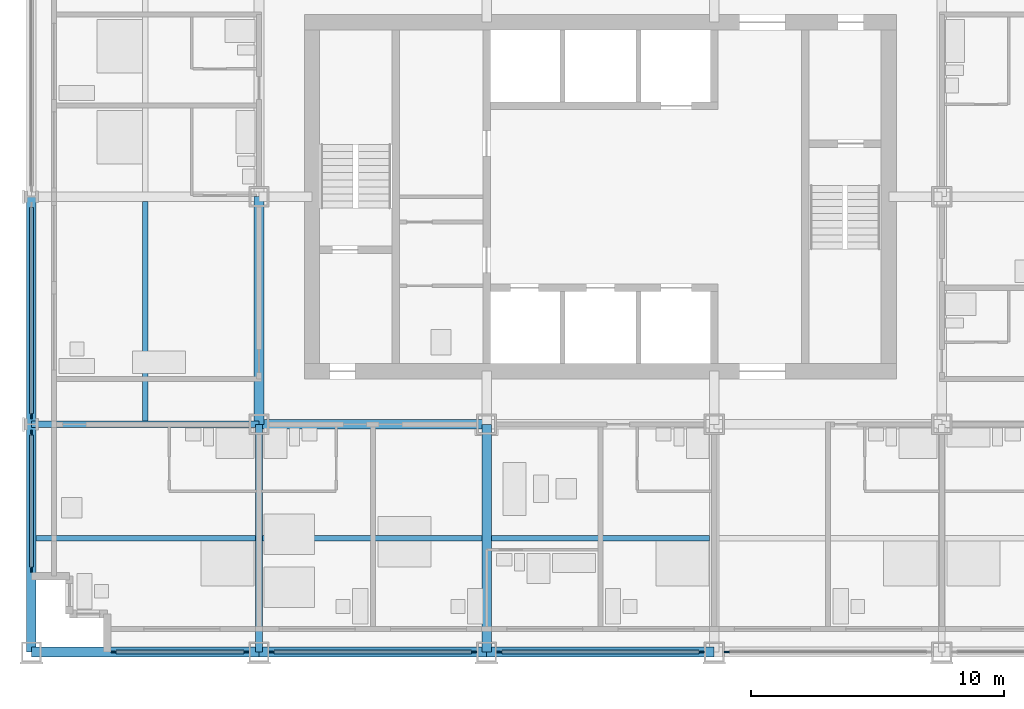
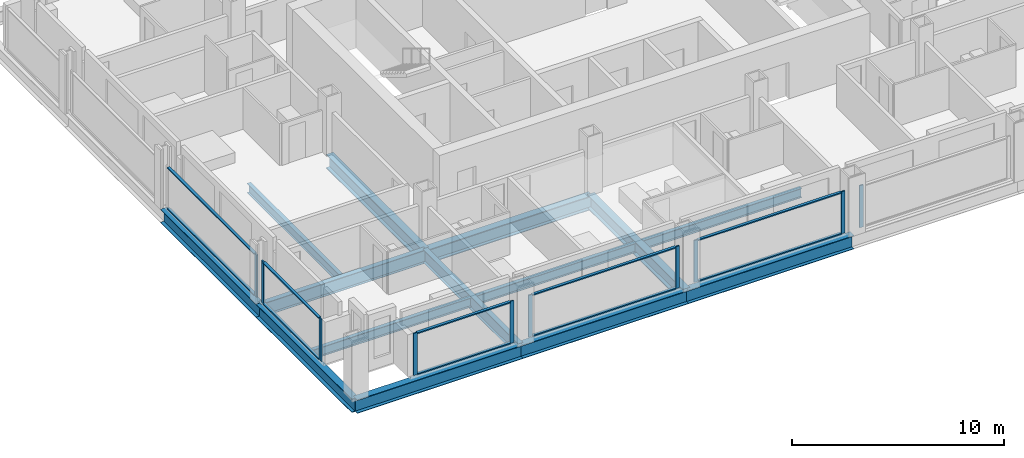
# One storey, part 2 of 16: 20 members, 14 beams, 6 elements without a shape of their own.
"""IFC4 building model written with IfcOpenShell, lengths in metres."""

from ifc_helpers import new_model, si_unit, direction, frame, origin, origin_2d, place, context, subcontext, project, spatial, rectangle, i_section, extrude, material, material_profile, profile_set, type_object, element, aggregate, save


model = new_model("IFC4")

# Units and contexts
model_context = context("Model", 3, precision=1e-05, world=origin(), true_north=direction((0.0, 1.0)))
body_context = subcontext(model_context, "Body", "Model", "MODEL_VIEW")
ifc_project = project(units=[si_unit("LENGTHUNIT", "METRE"), si_unit("AREAUNIT", "SQUARE_METRE"), si_unit("VOLUMEUNIT", "CUBIC_METRE"), si_unit("PLANEANGLEUNIT", "RADIAN"), si_unit("MASSUNIT", "GRAM", prefix="KILO")], contexts=[model_context])

# Site, building, storey
site_placement = place(None, origin())
site = spatial("IfcSite", under=ifc_project, at=site_placement, CompositionType="ELEMENT")
building_placement = place(site_placement, origin())
building = spatial("IfcBuilding", under=site, at=building_placement, Name="Loomwork Tower", CompositionType="ELEMENT")
storey_placement = place(building_placement, frame((0.0, 0.0, 121.39990234375)))
storey = spatial("IfcBuildingStorey", under=building, at=storey_placement, Name="L32", CompositionType="ELEMENT", Elevation=121.39990234375)

# Beams
ifc_material_1 = material(Name="Steel ASTM A992", Category="steel")
ifc_material_profile_1 = material_profile(ifc_material_1, i_section(OverallWidth=0.383544921875, OverallDepth=0.794921875, WebThickness=0.02099609375, FlangeThickness=0.0380859375, at=origin_2d()), Name="W30x235")
ifc_profile_set_1 = profile_set([ifc_material_profile_1], Name="Steel ASTM A992")
beam_type_1 = type_object("IfcBeamType", Name="CORE FLANK GIRDER W30x235", PredefinedType="BEAM", material=ifc_profile_set_1)
for number, where, z_axis, x_axis, name in (
    (1, (9.0, 9.0, -0.597412109375), (1.0, 0.0, 0.0), (0.0, 1.0, 0.0), "Core Flank Girder E/3-E/4 L32"),
    (2, (9.0, 9.0, -0.597412109375), (0.0, 1.0, 0.0), (-1.0, 0.0, 0.0), "Core Flank Girder E/3-F/3 L32"),
    (3, (18.0, 0.0, -0.597412109375), (0.0, 1.0, 0.0), (-1.0, 0.0, 0.0), "Core Flank Girder D/4-E/4 L32"),
):
    element("IfcBeam", number, at=place(storey_placement, frame(where, z_axis=z_axis, x_axis=x_axis)), inside=storey, type_object=beam_type_1, Name=name, PredefinedType="BEAM", context=body_context, shape_type="SweptSolid", body=[
        extrude(i_section(OverallWidth=0.383544921875, OverallDepth=0.794921875, WebThickness=0.02099609375, FlangeThickness=0.0380859375, at=origin_2d()), origin(), (0.0, 0.0, 1.0), 9.0),
    ])
ifc_material_2 = material(Name="Steel ASTM A992", Category="steel")
ifc_material_profile_2 = material_profile(ifc_material_2, i_section(OverallWidth=0.2666015625, OverallDepth=0.761962890625, WebThickness=0.014404296875, FlangeThickness=0.021484375, at=origin_2d()), Name="W30x116")
ifc_profile_set_2 = profile_set([ifc_material_profile_2], Name="Steel ASTM A992")
beam_type_2 = type_object("IfcBeamType", Name="FLOOR GIRDER W30x116", PredefinedType="BEAM", material=ifc_profile_set_2)
for number, where, z_axis, x_axis, name in (
    (4, (0.0, 9.0, -0.580810546875), (1.0, 0.0, 0.0), (0.0, 1.0, 0.0), "Floor Girder E/2-E/3 L32"),
    (5, (9.0, 0.0, -0.580810546875), (0.0, 1.0, 0.0), (-1.0, 0.0, 0.0), "Floor Girder D/3-E/3 L32"),
):
    element("IfcBeam", number, at=place(storey_placement, frame(where, z_axis=z_axis, x_axis=x_axis)), inside=storey, type_object=beam_type_2, Name=name, PredefinedType="BEAM", context=body_context, shape_type="SweptSolid", body=[
        extrude(i_section(OverallWidth=0.2666015625, OverallDepth=0.761962890625, WebThickness=0.014404296875, FlangeThickness=0.021484375, at=origin_2d()), origin(), (0.0, 0.0, 1.0), 9.0),
    ])
ifc_material_3 = material(Name="Steel ASTM A992", Category="steel")
ifc_material_profile_3 = material_profile(ifc_material_3, i_section(OverallWidth=0.2109375, OverallDepth=0.53857421875, WebThickness=0.011474609375, FlangeThickness=0.018798828125, at=origin_2d()), Name="W21x73")
ifc_profile_set_3 = profile_set([ifc_material_profile_3], Name="Steel ASTM A992")
beam_type_3 = type_object("IfcBeamType", Name="FLOOR JOIST W21x73", PredefinedType="JOIST", material=ifc_profile_set_3)
beam_1_placement = place(storey_placement, frame((0.18994140625, 4.5, -0.46923828125), z_axis=(1.0, 0.0, 0.0), x_axis=(0.0, 1.0, 0.0)))
element("IfcBeam", 6, at=beam_1_placement, inside=storey, type_object=beam_type_3, Name="Floor Joist 0.000,4.500-9.000,4.500 L32", PredefinedType="JOIST", context=body_context, shape_type="SweptSolid", body=[
    extrude(i_section(OverallWidth=0.2109375, OverallDepth=0.53857421875, WebThickness=0.011474609375, FlangeThickness=0.018798828125, at=origin_2d()), origin(), (0.0, 0.0, 1.0), 8.677001953125),
])
for number, where, z_axis, x_axis, name in (
    (7, (4.5, 9.133056640625, -0.46923828125), (0.0, 1.0, 0.0), (-1.0, 0.0, 0.0), "Floor Joist 4.500,9.000-4.500,18.000 L32"),
    (8, (9.133056640625, 4.5, -0.46923828125), (1.0, 0.0, 0.0), (0.0, 1.0, 0.0), "Floor Joist 9.000,4.500-18.000,4.500 L32"),
):
    element("IfcBeam", number, at=place(storey_placement, frame(where, z_axis=z_axis, x_axis=x_axis)), inside=storey, type_object=beam_type_3, Name=name, PredefinedType="JOIST", context=body_context, shape_type="SweptSolid", body=[
        extrude(i_section(OverallWidth=0.2109375, OverallDepth=0.53857421875, WebThickness=0.011474609375, FlangeThickness=0.018798828125, at=origin_2d()), origin(), (0.0, 0.0, 1.0), 8.676025390625),
    ])
beam_2_placement = place(storey_placement, frame((18.19091796875, 4.5, -0.46923828125), z_axis=(1.0, 0.0, 0.0), x_axis=(0.0, 1.0, 0.0)))
element("IfcBeam", 9, at=beam_2_placement, inside=storey, type_object=beam_type_3, Name="Floor Joist 18.000,4.500-27.000,4.500 L32", PredefinedType="JOIST", context=body_context, shape_type="SweptSolid", body=[
    extrude(i_section(OverallWidth=0.2109375, OverallDepth=0.53857421875, WebThickness=0.011474609375, FlangeThickness=0.018798828125, at=origin_2d()), origin(), (0.0, 0.0, 1.0), 8.6181640625),
])

# Curtain wall, members
ifc_material_4 = material(Name="Aluminium curtain wall frame", Category="aluminium")
curtain_wall_type = type_object("IfcCurtainWallType", Name="Outer skin glazing hotel", PredefinedType="NOTDEFINED", material=ifc_material_4)
curtain_wall_1_placement = place(storey_placement, origin())
curtain_wall_1 = element("IfcCurtainWall", 10, at=curtain_wall_1_placement, inside=storey, type_object=curtain_wall_type, Name="Outer skin glazing hotel cw/S-0", PredefinedType="NOTDEFINED")
ifc_material_5 = material(Name="Aluminium curtain wall frame", Category="aluminium")
ifc_material_profile_4 = material_profile(ifc_material_5, rectangle(XDim=0.06494140625, YDim=0.199951171875, at=origin_2d()), Name="AL 65x200")
ifc_profile_set_4 = profile_set([ifc_material_profile_4], Name="Aluminium curtain wall frame")
member_type_1 = type_object("IfcMemberType", Name="Outer skin glazing hotel mullion", PredefinedType="MULLION", material=ifc_profile_set_4)
member_1_placement = place(storey_placement, frame((3.25, 0.0, 0.0), z_axis=(0.0, 0.0, 1.0), x_axis=(0.0, 1.0, 0.0)))
member_1 = element("IfcMember", 11, at=member_1_placement, type_object=member_type_1, Name="CW1 mullion 1", PredefinedType="MULLION", context=body_context, shape_type="SweptSolid", body=[
    extrude(rectangle(XDim=0.06494140625, YDim=0.199951171875, at=origin_2d()), origin(), (0.0, 0.0, 1.0), 2.42041015625),
])
member_2_placement = place(storey_placement, frame((8.5, 0.0, 0.0), z_axis=(0.0, 0.0, 1.0), x_axis=(0.0, 1.0, 0.0)))
member_2 = element("IfcMember", 12, at=member_2_placement, type_object=member_type_1, Name="CW1 mullion 2", PredefinedType="MULLION", context=body_context, shape_type="SweptSolid", body=[
    extrude(rectangle(XDim=0.06494140625, YDim=0.199951171875, at=origin_2d()), origin(), (0.0, 0.0, 1.0), 2.42041015625),
])

curtain_wall_2_placement = place(storey_placement, origin())
curtain_wall_2 = element("IfcCurtainWall", 13, at=curtain_wall_2_placement, inside=storey, type_object=curtain_wall_type, Name="Outer skin glazing hotel cw/S-9", PredefinedType="NOTDEFINED")
member_3_placement = place(storey_placement, frame((9.5, 0.0, 0.0), z_axis=(0.0, 0.0, 1.0), x_axis=(0.0, 1.0, 0.0)))
member_3 = element("IfcMember", 14, at=member_3_placement, type_object=member_type_1, Name="CW1 mullion 1", PredefinedType="MULLION", context=body_context, shape_type="SweptSolid", body=[
    extrude(rectangle(XDim=0.06494140625, YDim=0.199951171875, at=origin_2d()), origin(), (0.0, 0.0, 1.0), 2.42041015625),
])
member_4_placement = place(storey_placement, frame((17.5, 0.0, 0.0), z_axis=(0.0, 0.0, 1.0), x_axis=(0.0, 1.0, 0.0)))
member_4 = element("IfcMember", 15, at=member_4_placement, type_object=member_type_1, Name="CW1 mullion 2", PredefinedType="MULLION", context=body_context, shape_type="SweptSolid", body=[
    extrude(rectangle(XDim=0.06494140625, YDim=0.199951171875, at=origin_2d()), origin(), (0.0, 0.0, 1.0), 2.42041015625),
])

curtain_wall_3_placement = place(storey_placement, origin())
curtain_wall_3 = element("IfcCurtainWall", 16, at=curtain_wall_3_placement, inside=storey, type_object=curtain_wall_type, Name="Outer skin glazing hotel cw/S-18", PredefinedType="NOTDEFINED")
member_5_placement = place(storey_placement, frame((18.5, 0.0, 0.0), z_axis=(0.0, 0.0, 1.0), x_axis=(0.0, 1.0, 0.0)))
member_5 = element("IfcMember", 17, at=member_5_placement, type_object=member_type_1, Name="CW1 mullion 1", PredefinedType="MULLION", context=body_context, shape_type="SweptSolid", body=[
    extrude(rectangle(XDim=0.06494140625, YDim=0.199951171875, at=origin_2d()), origin(), (0.0, 0.0, 1.0), 2.42041015625),
])
member_6_placement = place(storey_placement, frame((26.5, 0.0, 0.0), z_axis=(0.0, 0.0, 1.0), x_axis=(0.0, 1.0, 0.0)))
member_6 = element("IfcMember", 18, at=member_6_placement, type_object=member_type_1, Name="CW1 mullion 2", PredefinedType="MULLION", context=body_context, shape_type="SweptSolid", body=[
    extrude(rectangle(XDim=0.06494140625, YDim=0.199951171875, at=origin_2d()), origin(), (0.0, 0.0, 1.0), 2.42041015625),
])

# Curtain wall, member
curtain_wall_4_placement = place(storey_placement, origin())
curtain_wall_4 = element("IfcCurtainWall", 19, at=curtain_wall_4_placement, inside=storey, type_object=curtain_wall_type, Name="Outer skin glazing hotel cw/S-27", PredefinedType="NOTDEFINED")
member_7_placement = place(storey_placement, frame((27.5, 0.0, 0.0), z_axis=(0.0, 0.0, 1.0), x_axis=(0.0, 1.0, 0.0)))
member_7 = element("IfcMember", 20, at=member_7_placement, type_object=member_type_1, Name="CW1 mullion 1", PredefinedType="MULLION", context=body_context, shape_type="SweptSolid", body=[
    extrude(rectangle(XDim=0.06494140625, YDim=0.199951171875, at=origin_2d()), origin(), (0.0, 0.0, 1.0), 2.42041015625),
])
aggregate(curtain_wall_4, [member_7])

# Curtain wall, members
curtain_wall_5_placement = place(storey_placement, origin())
curtain_wall_5 = element("IfcCurtainWall", 21, at=curtain_wall_5_placement, inside=storey, type_object=curtain_wall_type, Name="Outer skin glazing hotel cw/W-0", PredefinedType="NOTDEFINED")
member_8_placement = place(storey_placement, frame((0.0, 8.67529296875, 0.0), z_axis=(0.0, 0.0, 1.0), x_axis=(1.0, 0.0, 0.0)))
member_8 = element("IfcMember", 22, at=member_8_placement, type_object=member_type_1, Name="CW1 mullion 1", PredefinedType="MULLION", context=body_context, shape_type="SweptSolid", body=[
    extrude(rectangle(XDim=0.06494140625, YDim=0.199951171875, at=origin_2d()), origin(), (0.0, 0.0, 1.0), 2.42041015625),
])
member_9_placement = place(storey_placement, frame((0.0, 3.25, 0.0), z_axis=(0.0, 0.0, 1.0), x_axis=(1.0, 0.0, 0.0)))
member_9 = element("IfcMember", 23, at=member_9_placement, type_object=member_type_1, Name="CW1 mullion 2", PredefinedType="MULLION", context=body_context, shape_type="SweptSolid", body=[
    extrude(rectangle(XDim=0.06494140625, YDim=0.199951171875, at=origin_2d()), origin(), (0.0, 0.0, 1.0), 2.42041015625),
])

# Curtain wall, member
curtain_wall_6_placement = place(storey_placement, origin())
curtain_wall_6 = element("IfcCurtainWall", 24, at=curtain_wall_6_placement, inside=storey, type_object=curtain_wall_type, Name="Outer skin glazing hotel cw/W-9", PredefinedType="NOTDEFINED")
member_10_placement = place(storey_placement, frame((0.0, 9.32470703125, 0.0), z_axis=(0.0, 0.0, 1.0), x_axis=(1.0, 0.0, 0.0)))
member_10 = element("IfcMember", 25, at=member_10_placement, type_object=member_type_1, Name="CW1 mullion 2", PredefinedType="MULLION", context=body_context, shape_type="SweptSolid", body=[
    extrude(rectangle(XDim=0.06494140625, YDim=0.199951171875, at=origin_2d()), origin(), (0.0, 0.0, 1.0), 2.42041015625),
])

# Member
ifc_material_6 = material(Name="Aluminium curtain wall frame", Category="aluminium")
ifc_material_profile_5 = material_profile(ifc_material_6, rectangle(XDim=0.14990234375, YDim=0.06494140625, at=origin_2d()), Name="AL 65x150")
ifc_profile_set_5 = profile_set([ifc_material_profile_5], Name="Aluminium curtain wall frame")
member_type_2 = type_object("IfcMemberType", Name="Outer skin glazing hotel transom", PredefinedType="USERDEFINED", material=ifc_profile_set_5)
member_11_placement = place(storey_placement, frame((3.35009765625, 0.0, 0.03271484375), z_axis=(1.0, 0.0, 0.0), x_axis=(0.0, 1.0, 0.0)))
member_11 = element("IfcMember", 26, at=member_11_placement, type_object=member_type_2, Name="CW1 transom 1.1", ObjectType="TRANSOM", PredefinedType="USERDEFINED", context=body_context, shape_type="SweptSolid", body=[
    extrude(rectangle(XDim=0.14990234375, YDim=0.06494140625, at=origin_2d()), origin(), (0.0, 0.0, 1.0), 5.0498046875),
])

member_12_placement = place(storey_placement, frame((3.35009765625, 0.0, 2.3876953125), z_axis=(1.0, 0.0, 0.0), x_axis=(0.0, 1.0, 0.0)))
member_12 = element("IfcMember", 27, at=member_12_placement, type_object=member_type_2, Name="CW1 transom 1.2", ObjectType="TRANSOM", PredefinedType="USERDEFINED", context=body_context, shape_type="SweptSolid", body=[
    extrude(rectangle(XDim=0.14990234375, YDim=0.06494140625, at=origin_2d()), origin(), (0.0, 0.0, 1.0), 5.0498046875),
])

aggregate(curtain_wall_1, [member_1, member_2, member_11, member_12])

member_13_placement = place(storey_placement, frame((9.60009765625, 0.0, 0.03271484375), z_axis=(1.0, 0.0, 0.0), x_axis=(0.0, 1.0, 0.0)))
member_13 = element("IfcMember", 28, at=member_13_placement, type_object=member_type_2, Name="CW1 transom 1.1", ObjectType="TRANSOM", PredefinedType="USERDEFINED", context=body_context, shape_type="SweptSolid", body=[
    extrude(rectangle(XDim=0.14990234375, YDim=0.06494140625, at=origin_2d()), origin(), (0.0, 0.0, 1.0), 7.7998046875),
])

member_14_placement = place(storey_placement, frame((9.60009765625, 0.0, 2.3876953125), z_axis=(1.0, 0.0, 0.0), x_axis=(0.0, 1.0, 0.0)))
member_14 = element("IfcMember", 29, at=member_14_placement, type_object=member_type_2, Name="CW1 transom 1.2", ObjectType="TRANSOM", PredefinedType="USERDEFINED", context=body_context, shape_type="SweptSolid", body=[
    extrude(rectangle(XDim=0.14990234375, YDim=0.06494140625, at=origin_2d()), origin(), (0.0, 0.0, 1.0), 7.7998046875),
])

aggregate(curtain_wall_2, [member_3, member_4, member_13, member_14])

member_15_placement = place(storey_placement, frame((18.60009765625, 0.0, 0.03271484375), z_axis=(1.0, 0.0, 0.0), x_axis=(0.0, 1.0, 0.0)))
member_15 = element("IfcMember", 30, at=member_15_placement, type_object=member_type_2, Name="CW1 transom 1.1", ObjectType="TRANSOM", PredefinedType="USERDEFINED", context=body_context, shape_type="SweptSolid", body=[
    extrude(rectangle(XDim=0.14990234375, YDim=0.06494140625, at=origin_2d()), origin(), (0.0, 0.0, 1.0), 7.7998046875),
])

member_16_placement = place(storey_placement, frame((18.60009765625, 0.0, 2.3876953125), z_axis=(1.0, 0.0, 0.0), x_axis=(0.0, 1.0, 0.0)))
member_16 = element("IfcMember", 31, at=member_16_placement, type_object=member_type_2, Name="CW1 transom 1.2", ObjectType="TRANSOM", PredefinedType="USERDEFINED", context=body_context, shape_type="SweptSolid", body=[
    extrude(rectangle(XDim=0.14990234375, YDim=0.06494140625, at=origin_2d()), origin(), (0.0, 0.0, 1.0), 7.7998046875),
])

aggregate(curtain_wall_3, [member_5, member_6, member_15, member_16])

member_17_placement = place(storey_placement, frame((0.0, 8.5751953125, 0.03271484375), z_axis=(0.0, -1.0, 0.0), x_axis=(1.0, 0.0, 0.0)))
member_17 = element("IfcMember", 32, at=member_17_placement, type_object=member_type_2, Name="CW1 transom 1.1", ObjectType="TRANSOM", PredefinedType="USERDEFINED", context=body_context, shape_type="SweptSolid", body=[
    extrude(rectangle(XDim=0.14990234375, YDim=0.06494140625, at=origin_2d()), origin(), (0.0, 0.0, 1.0), 5.22509765625),
])

member_18_placement = place(storey_placement, frame((0.0, 8.5751953125, 2.3876953125), z_axis=(0.0, -1.0, 0.0), x_axis=(1.0, 0.0, 0.0)))
member_18 = element("IfcMember", 33, at=member_18_placement, type_object=member_type_2, Name="CW1 transom 1.2", ObjectType="TRANSOM", PredefinedType="USERDEFINED", context=body_context, shape_type="SweptSolid", body=[
    extrude(rectangle(XDim=0.14990234375, YDim=0.06494140625, at=origin_2d()), origin(), (0.0, 0.0, 1.0), 5.22509765625),
])

aggregate(curtain_wall_5, [member_8, member_9, member_17, member_18])

member_19_placement = place(storey_placement, frame((0.0, 17.5751953125, 0.03271484375), z_axis=(0.0, -1.0, 0.0), x_axis=(1.0, 0.0, 0.0)))
member_19 = element("IfcMember", 34, at=member_19_placement, type_object=member_type_2, Name="CW1 transom 1.1", ObjectType="TRANSOM", PredefinedType="USERDEFINED", context=body_context, shape_type="SweptSolid", body=[
    extrude(rectangle(XDim=0.14990234375, YDim=0.06494140625, at=origin_2d()), origin(), (0.0, 0.0, 1.0), 8.150390625),
])

member_20_placement = place(storey_placement, frame((0.0, 17.5751953125, 2.3876953125), z_axis=(0.0, -1.0, 0.0), x_axis=(1.0, 0.0, 0.0)))
member_20 = element("IfcMember", 35, at=member_20_placement, type_object=member_type_2, Name="CW1 transom 1.2", ObjectType="TRANSOM", PredefinedType="USERDEFINED", context=body_context, shape_type="SweptSolid", body=[
    extrude(rectangle(XDim=0.14990234375, YDim=0.06494140625, at=origin_2d()), origin(), (0.0, 0.0, 1.0), 8.150390625),
])

aggregate(curtain_wall_6, [member_10, member_19, member_20])

# Beams
ifc_material_7 = material(Name="Steel ASTM A992", Category="steel")
ifc_material_profile_6 = material_profile(ifc_material_7, i_section(OverallWidth=0.381103515625, OverallDepth=0.77978515625, WebThickness=0.01806640625, FlangeThickness=0.0302734375, at=origin_2d()), Name="W30x191")
ifc_profile_set_6 = profile_set([ifc_material_profile_6], Name="Steel ASTM A992")
beam_type_4 = type_object("IfcBeamType", Name="SPANDREL GIRDER W30x191", PredefinedType="SPANDREL", material=ifc_profile_set_6)
for number, where, z_axis, x_axis, name in (
    (36, (0.0, 0.0, -0.58984375), (1.0, 0.0, 0.0), (0.0, 1.0, 0.0), "Spandrel Girder D/2-D/3 L32"),
    (37, (9.0, 0.0, -0.58984375), (1.0, 0.0, 0.0), (0.0, 1.0, 0.0), "Spandrel Girder D/3-D/4 L32"),
    (38, (18.0, 0.0, -0.58984375), (1.0, 0.0, 0.0), (0.0, 1.0, 0.0), "Spandrel Girder D/4-D/5 L32"),
    (39, (0.0, 0.0, -0.58984375), (0.0, 1.0, 0.0), (-1.0, 0.0, 0.0), "Spandrel Girder D/2-E/2 L32"),
    (40, (0.0, 9.0, -0.58984375), (0.0, 1.0, 0.0), (-1.0, 0.0, 0.0), "Spandrel Girder E/2-F/2 L32"),
):
    element("IfcBeam", number, at=place(storey_placement, frame(where, z_axis=z_axis, x_axis=x_axis)), inside=storey, type_object=beam_type_4, Name=name, PredefinedType="SPANDREL", context=body_context, shape_type="SweptSolid", body=[
        extrude(i_section(OverallWidth=0.381103515625, OverallDepth=0.77978515625, WebThickness=0.01806640625, FlangeThickness=0.0302734375, at=origin_2d()), origin(), (0.0, 0.0, 1.0), 9.0),
    ])

save(model, "model.ifc")
